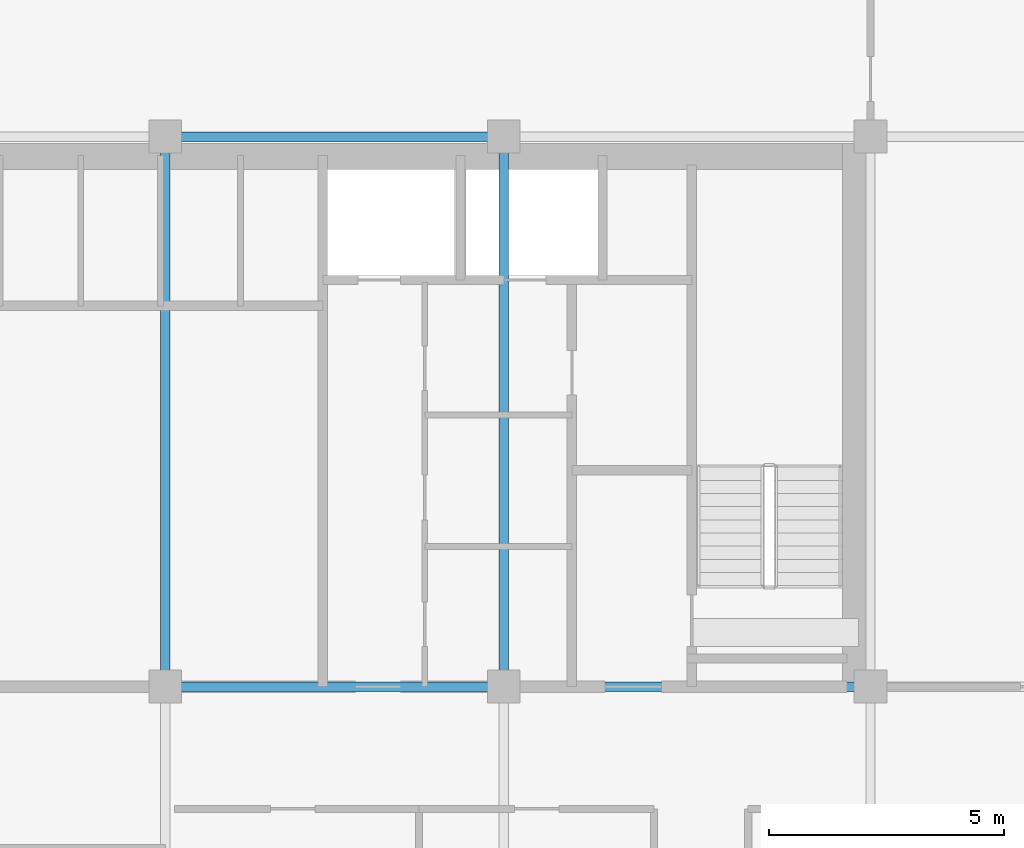
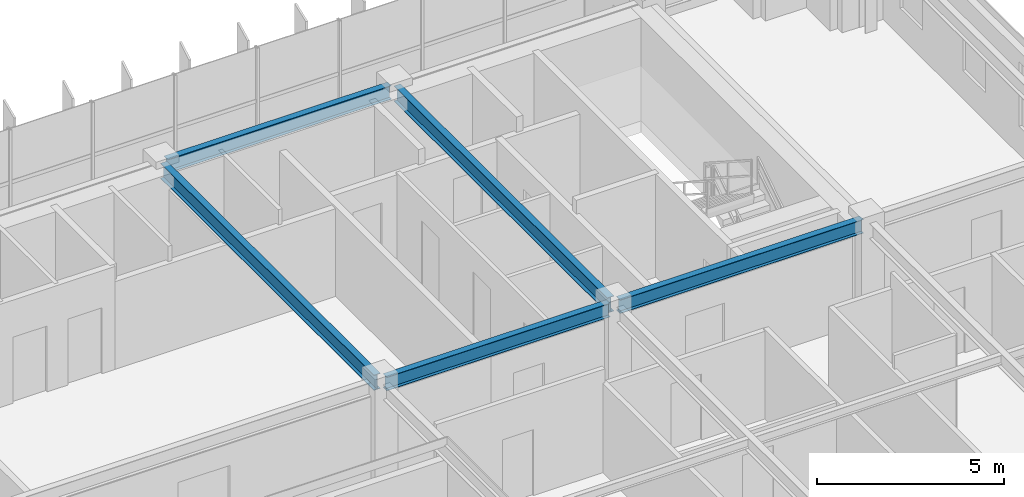
# One storey, part 10 of 23: 5 beams.
"""IFC4 building model written with IfcOpenShell, lengths in metres."""

from ifc_helpers import new_model, si_unit, direction, frame, origin, origin_2d, place, context, subcontext, project, spatial, i_section, extrude, source, transform, mapped, material, material_profile, profile_set, type_object, element, save


model = new_model("IFC4")

# Units and contexts
model_context = context("Model", 3, precision=1e-05, world=origin(), true_north=direction((0.0, 1.0)))
body_context = subcontext(model_context, "Body", "Model", "MODEL_VIEW")
ifc_project = project(units=[si_unit("LENGTHUNIT", "METRE"), si_unit("AREAUNIT", "SQUARE_METRE"), si_unit("VOLUMEUNIT", "CUBIC_METRE"), si_unit("PLANEANGLEUNIT", "RADIAN"), si_unit("MASSUNIT", "GRAM", prefix="KILO")], contexts=[model_context])

# Site, building, storey
site_placement = place(None, origin())
site = spatial("IfcSite", under=ifc_project, at=site_placement, CompositionType="ELEMENT")
building_placement = place(site_placement, origin())
building = spatial("IfcBuilding", under=site, at=building_placement, Name="Trelvane Seafront Commons", CompositionType="ELEMENT")
storey_placement = place(building_placement, frame((0.0, 0.0, 190.5)))
storey = spatial("IfcBuildingStorey", under=building, at=storey_placement, Name="L49", CompositionType="ELEMENT", Elevation=190.5)

# Beams
ifc_material = material(Name="Steel SM355 (S355)", Category="steel")
ifc_material_profile_1 = material_profile(ifc_material, i_section(OverallWidth=0.199951171875, OverallDepth=0.5, WebThickness=0.010009765625, FlangeThickness=0.01611328125, at=origin_2d()), Name="H-500x200x10x16")
ifc_profile_set_1 = profile_set([ifc_material_profile_1], Name="Steel SM355 (S355)")
beam_type_1 = type_object("IfcBeamType", Name="STR-BM-H500", PredefinedType="BEAM", material=ifc_profile_set_1)
shared_shape_1 = source(origin(), body_context, "Body", "SweptSolid", [
    extrude(i_section(OverallWidth=0.199951171875, OverallDepth=0.5, WebThickness=0.010009765625, FlangeThickness=0.01611328125, at=origin_2d()), origin(), (0.0, 0.0, 1.0), 11.39990234375),
])
for number, where, z_axis, x_axis, name in (
    (1, (43.800048828125, 33.550048828125, 3.110107421875), (0.0, 1.0, 0.0), (-1.0, 0.0, 0.0), "L49 Primary Girder G-43"),
    (2, (51.0, 33.550048828125, 3.110107421875), (0.0, 1.0, 0.0), (-1.0, 0.0, 0.0), "L49 Primary Girder G-46"),
):
    element("IfcBeam", number, at=place(storey_placement, frame(where, z_axis=z_axis, x_axis=x_axis)), inside=storey, type_object=beam_type_1, Name=name, PredefinedType="BEAM", context=body_context, shape_type="MappedRepresentation", body=[
        mapped(shared_shape_1, transform((0.0, 0.0, 0.0), x_axis=(1.0, 0.0, 0.0), y_axis=(0.0, 1.0, 0.0), z_axis=(0.0, 0.0, 1.0), scale=1.0)),
    ])
ifc_material_profile_2 = material_profile(ifc_material, i_section(OverallWidth=0.199951171875, OverallDepth=0.449951171875, WebThickness=0.009033203125, FlangeThickness=0.013916015625, at=origin_2d()), Name="H-450x200x9x14")
ifc_profile_set_2 = profile_set([ifc_material_profile_2], Name="Steel SM355 (S355)")
beam_type_2 = type_object("IfcBeamType", Name="STR-SPD-H450", PredefinedType="SPANDREL", material=ifc_profile_set_2)
shared_shape_2 = source(origin(), body_context, "Body", "SweptSolid", [
    extrude(i_section(OverallWidth=0.199951171875, OverallDepth=0.449951171875, WebThickness=0.009033203125, FlangeThickness=0.013916015625, at=origin_2d()), origin(), (0.0, 0.0, 1.0), 7.5),
])
beam_placement = place(storey_placement, frame((51.14990234375, 33.39990234375, 3.135009765625), z_axis=(1.0, 0.0, 0.0), x_axis=(0.0, 1.0, 0.0)))
element("IfcBeam", 3, at=beam_placement, inside=storey, type_object=beam_type_2, Name="L49 Primary Girder G-20", PredefinedType="SPANDREL", context=body_context, shape_type="MappedRepresentation", body=[
    mapped(shared_shape_2, transform((0.0, 0.0, 0.0), x_axis=(1.0, 0.0, 0.0), y_axis=(0.0, 1.0, 0.0), z_axis=(0.0, 0.0, 1.0), scale=1.0)),
])
shared_shape_3 = source(origin(), body_context, "Body", "SweptSolid", [
    extrude(i_section(OverallWidth=0.199951171875, OverallDepth=0.449951171875, WebThickness=0.009033203125, FlangeThickness=0.013916015625, at=origin_2d()), origin(), (0.0, 0.0, 1.0), 6.900146484375),
])
for number, where, z_axis, x_axis, name in (
    (4, (43.949951171875, 33.39990234375, 3.135009765625), (1.0, 0.0, 0.0), (0.0, 1.0, 0.0), "L49 Primary Girder G-19"),
    (5, (43.949951171875, 45.10009765625, 3.135009765625), (1.0, 0.0, 0.0), (0.0, 1.0, 0.0), "L49 Primary Girder G-26"),
):
    element("IfcBeam", number, at=place(storey_placement, frame(where, z_axis=z_axis, x_axis=x_axis)), inside=storey, type_object=beam_type_2, Name=name, PredefinedType="SPANDREL", context=body_context, shape_type="MappedRepresentation", body=[
        mapped(shared_shape_3, transform((0.0, 0.0, 0.0), x_axis=(1.0, 0.0, 0.0), y_axis=(0.0, 1.0, 0.0), z_axis=(0.0, 0.0, 1.0), scale=1.0)),
    ])

save(model, "model.ifc")
